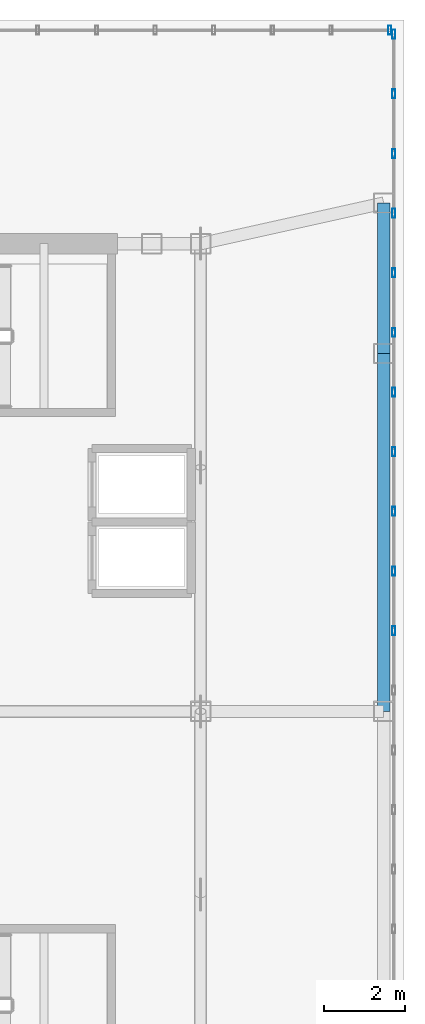
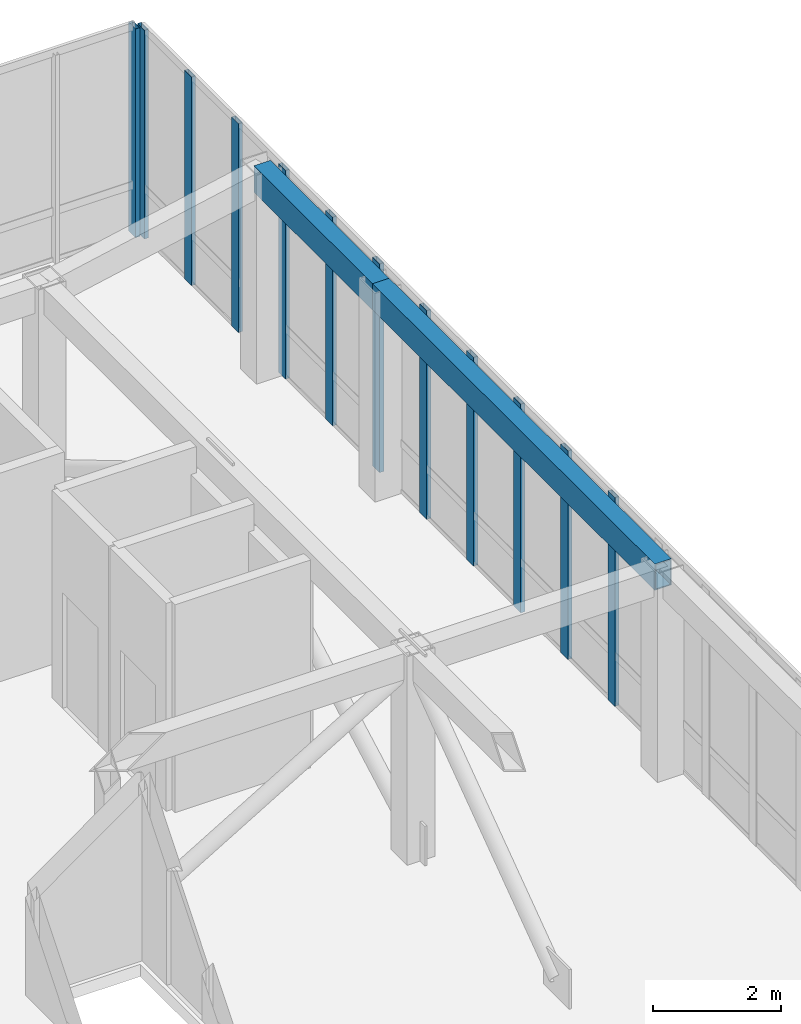
# One storey, part 10 of 13: 12 members, 2 beams, 2 elements without a shape of their own.
"""IFC4 building model written with IfcOpenShell, lengths in metres."""

from ifc_helpers import new_model, si_unit, direction, frame, origin, origin_2d, place, context, subcontext, project, spatial, hollow_rectangle, extrude, source, transform, mapped, material, layer, layer_set, material_profile, profile_set, type_object, element, aggregate, save


model = new_model("IFC4")

# Units and contexts
model_context = context("Model", 3, precision=1e-05, world=origin(), true_north=direction((0.0, 1.0)))
body_context = subcontext(model_context, "Body", "Model", "MODEL_VIEW")
ifc_project = project(units=[si_unit("LENGTHUNIT", "METRE"), si_unit("AREAUNIT", "SQUARE_METRE"), si_unit("VOLUMEUNIT", "CUBIC_METRE"), si_unit("PLANEANGLEUNIT", "RADIAN"), si_unit("MASSUNIT", "GRAM", prefix="KILO")], contexts=[model_context])

# Site, building, storey
site_placement = place(None, origin())
site = spatial("IfcSite", under=ifc_project, at=site_placement, CompositionType="ELEMENT")
building_placement = place(site_placement, origin())
building = spatial("IfcBuilding", under=site, at=building_placement, Name="Kharzan Plaza Tower", CompositionType="ELEMENT")
storey_placement = place(building_placement, frame((0.0, 0.0, 285.60009765625)))
storey = spatial("IfcBuildingStorey", under=building, at=storey_placement, Name="L77-CROWN", CompositionType="ELEMENT", Elevation=285.60009765625)

# Beams
ifc_material_1 = material(Name="Steel S355", Category="steel")
ifc_material_profile_1 = material_profile(ifc_material_1, hollow_rectangle(XDim=0.300048828125, YDim=0.5, WallThickness=0.02001953125, at=origin_2d()), Name="RHS500x300x20")
ifc_profile_set_1 = profile_set([ifc_material_profile_1], Name="Steel S355")
beam_type = type_object("IfcBeamType", Name="BM-CRN500", PredefinedType="BEAM", material=ifc_profile_set_1)
shared_shape_1 = source(origin(), body_context, "Body", "SweptSolid", [
    extrude(hollow_rectangle(XDim=0.300048828125, YDim=0.5, WallThickness=0.02001953125, at=origin_2d()), origin(), (0.0, 0.0, 1.0), 8.800048828125),
])
beam_1_placement = place(storey_placement, frame((19.0, 18.0, 3.719970703125), z_axis=(0.0, 1.0, 0.0), x_axis=(-1.0, 0.0, 0.0)))
element("IfcBeam", 1, at=beam_1_placement, inside=storey, type_object=beam_type, Name="L77-CROWN CROWN FRAME Lantern Ring Beam CRB-E2", PredefinedType="BEAM", context=body_context, shape_type="MappedRepresentation", body=[
    mapped(shared_shape_1, transform((0.0, 0.0, 0.0), x_axis=(1.0, 0.0, 0.0), y_axis=(0.0, 1.0, 0.0), z_axis=(0.0, 0.0, 1.0))),
])
shared_shape_2 = source(origin(), body_context, "Body", "SweptSolid", [
    extrude(hollow_rectangle(XDim=0.300048828125, YDim=0.5, WallThickness=0.02001953125, at=origin_2d()), origin(), (0.0, 0.0, 1.0), 3.699951171875),
])
beam_2_placement = place(storey_placement, frame((19.0, 26.800048828125, 3.719970703125), z_axis=(0.0, 1.0, 0.0), x_axis=(-1.0, 0.0, 0.0)))
element("IfcBeam", 2, at=beam_2_placement, inside=storey, type_object=beam_type, Name="L77-CROWN CROWN FRAME Lantern Ring Beam CRB-E3", PredefinedType="BEAM", context=body_context, shape_type="MappedRepresentation", body=[
    mapped(shared_shape_2, transform((0.0, 0.0, 0.0), x_axis=(1.0, 0.0, 0.0), y_axis=(0.0, 1.0, 0.0), z_axis=(0.0, 0.0, 1.0))),
])

# Curtain wall, members
ifc_material_2 = material(Name="Unitised Bronze-Anodized Aluminium and Low-E Glass", Category="aluminium")
ifc_layer = layer(ifc_material_2, 0.199951171875)
ifc_layer_set = layer_set([ifc_layer], Name="Unitised Bronze-Anodized Aluminium and Low-E Glass")
curtain_wall_type = type_object("IfcCurtainWallType", Name="CW-LANTERN-6", PredefinedType="NOTDEFINED", material=ifc_layer_set)
curtain_wall_1_placement = place(storey_placement, origin())
curtain_wall_1 = element("IfcCurtainWall", 3, at=curtain_wall_1_placement, inside=storey, type_object=curtain_wall_type, Name="L77-CROWN Lantern Crown Illuminated Curtain Wall 2", PredefinedType="NOTDEFINED")
ifc_material_3 = material(Name="Anodized Bronze Aluminium", Category="aluminium")
ifc_material_profile_2 = material_profile(ifc_material_3, hollow_rectangle(XDim=0.074951171875, YDim=0.219970703125, WallThickness=0.00390625, at=origin_2d()), Name="ALU-M220x75x4")
ifc_profile_set_2 = profile_set([ifc_material_profile_2], Name="Anodized Bronze Aluminium")
member_type = type_object("IfcMemberType", Name="MEM-CW-MUL200", PredefinedType="MULLION", material=ifc_profile_set_2)
shared_shape_3 = source(origin(), body_context, "Body", "SweptSolid", [
    extrude(hollow_rectangle(XDim=0.074951171875, YDim=0.219970703125, WallThickness=0.00390625, at=origin_2d()), origin(), (0.0, 0.0, 1.0), 3.969970703125),
])
member_1_placement = place(storey_placement, frame((19.25, 19.9833984375, 0.0), z_axis=(0.0, 0.0, 1.0), x_axis=(1.0, 0.0, 0.0)))
member_1 = element("IfcMember", 4, at=member_1_placement, type_object=member_type, Name="L77-CROWN Curtain-Wall Mullion 11", PredefinedType="MULLION", context=body_context, shape_type="MappedRepresentation", body=[
    mapped(shared_shape_3, transform((0.0, 0.0, 0.0), x_axis=(1.0, 0.0, 0.0), y_axis=(0.0, 1.0, 0.0), z_axis=(0.0, 0.0, 1.0))),
])
member_2_placement = place(storey_placement, frame((19.25, 21.449951171875, 0.0), z_axis=(0.0, 0.0, 1.0), x_axis=(1.0, 0.0, 0.0)))
member_2 = element("IfcMember", 5, at=member_2_placement, type_object=member_type, Name="L77-CROWN Curtain-Wall Mullion 12", PredefinedType="MULLION", context=body_context, shape_type="MappedRepresentation", body=[
    mapped(shared_shape_3, transform((0.0, 0.0, 0.0), x_axis=(1.0, 0.0, 0.0), y_axis=(0.0, 1.0, 0.0), z_axis=(0.0, 0.0, 1.0))),
])
member_3_placement = place(storey_placement, frame((19.25, 22.916748046875, 0.0), z_axis=(0.0, 0.0, 1.0), x_axis=(1.0, 0.0, 0.0)))
member_3 = element("IfcMember", 6, at=member_3_placement, type_object=member_type, Name="L77-CROWN Curtain-Wall Mullion 13", PredefinedType="MULLION", context=body_context, shape_type="MappedRepresentation", body=[
    mapped(shared_shape_3, transform((0.0, 0.0, 0.0), x_axis=(1.0, 0.0, 0.0), y_axis=(0.0, 1.0, 0.0), z_axis=(0.0, 0.0, 1.0))),
])
member_4_placement = place(storey_placement, frame((19.25, 24.38330078125, 0.0), z_axis=(0.0, 0.0, 1.0), x_axis=(1.0, 0.0, 0.0)))
member_4 = element("IfcMember", 7, at=member_4_placement, type_object=member_type, Name="L77-CROWN Curtain-Wall Mullion 14", PredefinedType="MULLION", context=body_context, shape_type="MappedRepresentation", body=[
    mapped(shared_shape_3, transform((0.0, 0.0, 0.0), x_axis=(1.0, 0.0, 0.0), y_axis=(0.0, 1.0, 0.0), z_axis=(0.0, 0.0, 1.0))),
])
member_5_placement = place(storey_placement, frame((19.25, 25.85009765625, 0.0), z_axis=(0.0, 0.0, 1.0), x_axis=(1.0, 0.0, 0.0)))
member_5 = element("IfcMember", 8, at=member_5_placement, type_object=member_type, Name="L77-CROWN Curtain-Wall Mullion 15", PredefinedType="MULLION", context=body_context, shape_type="MappedRepresentation", body=[
    mapped(shared_shape_3, transform((0.0, 0.0, 0.0), x_axis=(1.0, 0.0, 0.0), y_axis=(0.0, 1.0, 0.0), z_axis=(0.0, 0.0, 1.0))),
])
member_6_placement = place(storey_placement, frame((19.25, 27.316650390625, 0.0), z_axis=(0.0, 0.0, 1.0), x_axis=(1.0, 0.0, 0.0)))
member_6 = element("IfcMember", 9, at=member_6_placement, type_object=member_type, Name="L77-CROWN Curtain-Wall Mullion 16", PredefinedType="MULLION", context=body_context, shape_type="MappedRepresentation", body=[
    mapped(shared_shape_3, transform((0.0, 0.0, 0.0), x_axis=(1.0, 0.0, 0.0), y_axis=(0.0, 1.0, 0.0), z_axis=(0.0, 0.0, 1.0))),
])
member_7_placement = place(storey_placement, frame((19.25, 28.783203125, 0.0), z_axis=(0.0, 0.0, 1.0), x_axis=(1.0, 0.0, 0.0)))
member_7 = element("IfcMember", 10, at=member_7_placement, type_object=member_type, Name="L77-CROWN Curtain-Wall Mullion 17", PredefinedType="MULLION", context=body_context, shape_type="MappedRepresentation", body=[
    mapped(shared_shape_3, transform((0.0, 0.0, 0.0), x_axis=(1.0, 0.0, 0.0), y_axis=(0.0, 1.0, 0.0), z_axis=(0.0, 0.0, 1.0))),
])
member_8_placement = place(storey_placement, frame((19.25, 30.25, 0.0), z_axis=(0.0, 0.0, 1.0), x_axis=(1.0, 0.0, 0.0)))
member_8 = element("IfcMember", 11, at=member_8_placement, type_object=member_type, Name="L77-CROWN Curtain-Wall Mullion 18", PredefinedType="MULLION", context=body_context, shape_type="MappedRepresentation", body=[
    mapped(shared_shape_3, transform((0.0, 0.0, 0.0), x_axis=(1.0, 0.0, 0.0), y_axis=(0.0, 1.0, 0.0), z_axis=(0.0, 0.0, 1.0))),
])
member_9_placement = place(storey_placement, frame((19.25, 31.716796875, 0.0), z_axis=(0.0, 0.0, 1.0), x_axis=(1.0, 0.0, 0.0)))
member_9 = element("IfcMember", 12, at=member_9_placement, type_object=member_type, Name="L77-CROWN Curtain-Wall Mullion 19", PredefinedType="MULLION", context=body_context, shape_type="MappedRepresentation", body=[
    mapped(shared_shape_3, transform((0.0, 0.0, 0.0), x_axis=(1.0, 0.0, 0.0), y_axis=(0.0, 1.0, 0.0), z_axis=(0.0, 0.0, 1.0))),
])
member_10_placement = place(storey_placement, frame((19.25, 33.183349609375, 0.0), z_axis=(0.0, 0.0, 1.0), x_axis=(1.0, 0.0, 0.0)))
member_10 = element("IfcMember", 13, at=member_10_placement, type_object=member_type, Name="L77-CROWN Curtain-Wall Mullion 20", PredefinedType="MULLION", context=body_context, shape_type="MappedRepresentation", body=[
    mapped(shared_shape_3, transform((0.0, 0.0, 0.0), x_axis=(1.0, 0.0, 0.0), y_axis=(0.0, 1.0, 0.0), z_axis=(0.0, 0.0, 1.0))),
])
member_11_placement = place(storey_placement, frame((19.25, 34.64990234375, 0.0), z_axis=(0.0, 0.0, 1.0), x_axis=(1.0, 0.0, 0.0)))
member_11 = element("IfcMember", 14, at=member_11_placement, type_object=member_type, Name="L77-CROWN Curtain-Wall Mullion 21", PredefinedType="MULLION", context=body_context, shape_type="MappedRepresentation", body=[
    mapped(shared_shape_3, transform((0.0, 0.0, 0.0), x_axis=(1.0, 0.0, 0.0), y_axis=(0.0, 1.0, 0.0), z_axis=(0.0, 0.0, 1.0))),
])
aggregate(curtain_wall_1, [member_1, member_2, member_3, member_4, member_5, member_6, member_7, member_8, member_9, member_10, member_11])

# Curtain wall, member
curtain_wall_2_placement = place(storey_placement, origin())
curtain_wall_2 = element("IfcCurtainWall", 15, at=curtain_wall_2_placement, inside=storey, type_object=curtain_wall_type, Name="L77-CROWN Lantern Crown Illuminated Curtain Wall 3", PredefinedType="NOTDEFINED")
member_12_placement = place(storey_placement, frame((19.14990234375, 34.75, 0.0), z_axis=(0.0, 0.0, 1.0), x_axis=(1.0, 0.0, 0.0)))
member_12 = element("IfcMember", 16, at=member_12_placement, type_object=member_type, Name="L77-CROWN Curtain-Wall Mullion 00", PredefinedType="MULLION", context=body_context, shape_type="MappedRepresentation", body=[
    mapped(shared_shape_3, transform((0.0, 0.0, 0.0), x_axis=(1.0, 0.0, 0.0), y_axis=(0.0, 1.0, 0.0), z_axis=(0.0, 0.0, 1.0))),
])
aggregate(curtain_wall_2, [member_12])

save(model, "model.ifc")
